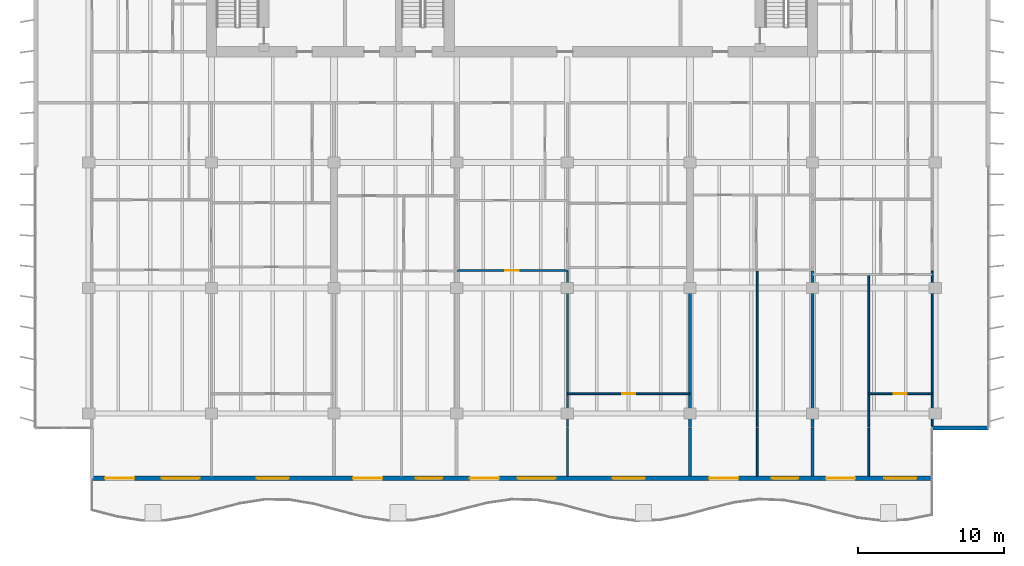
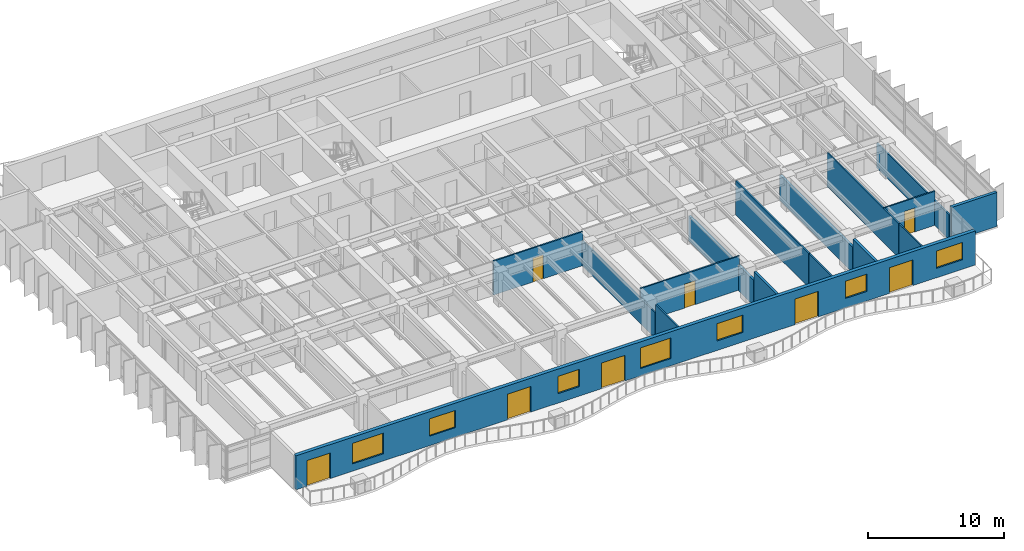
# One storey, part 10 of 19: 16 walls, 8 doors, 7 windows, 15 openings.
"""IFC4 building model written with IfcOpenShell, lengths in metres."""

from ifc_helpers import new_model, si_unit, direction, frame, frame_2d, origin, place, context, subcontext, project, spatial, rectangle, extrude, material, layer, layer_set, type_object, element, fill, save


model = new_model("IFC4")

# Units and contexts
model_context = context("Model", 3, precision=1e-05, world=origin(), true_north=direction((0.0, 1.0)))
body_context = subcontext(model_context, "Body", "Model", "MODEL_VIEW")
ifc_project = project(units=[si_unit("LENGTHUNIT", "METRE"), si_unit("AREAUNIT", "SQUARE_METRE"), si_unit("VOLUMEUNIT", "CUBIC_METRE"), si_unit("PLANEANGLEUNIT", "RADIAN"), si_unit("MASSUNIT", "GRAM", prefix="KILO")], contexts=[model_context])

# Site, building, storey
site_placement = place(None, origin())
site = spatial("IfcSite", under=ifc_project, at=site_placement, CompositionType="ELEMENT")
building_placement = place(site_placement, origin())
building = spatial("IfcBuilding", under=site, at=building_placement, Name="Caelmar Bay Residences", CompositionType="ELEMENT")
storey_placement = place(building_placement, frame((0.0, 0.0, 191.699951171875)))
storey = spatial("IfcBuildingStorey", under=building, at=storey_placement, Name="L53", CompositionType="ELEMENT", Elevation=191.699951171875)

# Wall
ifc_material_1 = material(Name="Precast concrete f'c 40 MPa (6,000 psi)", Category="concrete")
ifc_layer_1 = layer(ifc_material_1, 0.25)
ifc_layer_set_1 = layer_set([ifc_layer_1], Name="Precast concrete f'c 40 MPa (6,000 psi)")
wall_type_1 = type_object("IfcWallType", Name="W-EXT-250", PredefinedType="ELEMENTEDWALL", material=ifc_layer_set_1)
wall_1_placement = place(storey_placement, frame((67.699951171875, 11.199951171875, 0.0), z_axis=(0.0, 0.0, 1.0), x_axis=(1.0, 0.0, 0.0)))
element("IfcWall", 1, at=wall_1_placement, inside=storey, type_object=wall_type_1, Name="L53 SE Notch Return Wall", PredefinedType="ELEMENTEDWALL", context=body_context, shape_type="SweptSolid", body=[
    extrude(rectangle(XDim=3.85009765625, YDim=0.25, at=frame_2d((1.925048828125, 0.0))), origin(), (0.0, 0.0, 1.0), 3.050048828125),
])

# Wall, openings, doors, windows
ifc_layer_2 = layer(ifc_material_1, 0.300048828125)
ifc_layer_set_2 = layer_set([ifc_layer_2], Name="Precast concrete f'c 40 MPa (6,000 psi)")
wall_type_2 = type_object("IfcWallType", Name="W-EXT-300", PredefinedType="STANDARD", material=ifc_layer_set_2)
wall_2_placement = place(storey_placement, frame((67.699951171875, 7.75, 0.0), z_axis=(0.0, 0.0, 1.0), x_axis=(-1.0, 0.0, 0.0)))
wall_2 = element("IfcWall", 2, at=wall_2_placement, inside=storey, type_object=wall_type_2, Name="L53 South Bayfront Exterior Wall", PredefinedType="STANDARD", context=body_context, shape_type="SweptSolid", body=[
    extrude(rectangle(XDim=57.599853515625, YDim=0.300048828125, at=frame_2d((28.7998046875, 0.0))), origin(), (0.0, 0.0, 1.0), 3.050048828125),
])
opening_1_placement = place(wall_2_placement, frame((54.68994140625, 0.0, 0.0)))
opening_1 = element("IfcOpeningElement", 3, at=opening_1_placement, cuts=wall_2, Name="Opening L53-BD01", PredefinedType="OPENING", context=body_context, shape_type="SweptSolid", body=[
    extrude(rectangle(XDim=2.0, YDim=2.300048828125, at=frame_2d((1.0, 1.14990234375))), frame((0.0, 0.159912109375, 0.0), z_axis=(0.0, -1.0, 0.0), x_axis=(1.0, 0.0, 0.0)), (0.0, 0.0, 1.0), 0.320068359375),
])
opening_2_placement = place(wall_2_placement, frame((50.2099609375, 0.0, 0.64990234375)))
opening_2 = element("IfcOpeningElement", 4, at=opening_2_placement, cuts=wall_2, Name="Opening WN3", PredefinedType="OPENING", context=body_context, shape_type="SweptSolid", body=[
    extrude(rectangle(XDim=2.60009765625, YDim=1.85009765625, at=frame_2d((1.300048828125, 0.925048828125))), frame((0.0, 0.159912109375, 0.0), z_axis=(0.0, -1.0, 0.0), x_axis=(1.0, 0.0, 0.0)), (0.0, 0.0, 1.0), 0.320068359375),
])
opening_3_placement = place(wall_2_placement, frame((44.10009765625, 0.0, 0.85009765625)))
opening_3 = element("IfcOpeningElement", 5, at=opening_3_placement, cuts=wall_2, Name="Opening WN2", PredefinedType="OPENING", context=body_context, shape_type="SweptSolid", body=[
    extrude(rectangle(XDim=2.199951171875, YDim=1.550048828125, at=frame_2d((1.10009765625, 0.77490234375))), frame((0.0, 0.159912109375, 0.0), z_axis=(0.0, -1.0, 0.0), x_axis=(1.0, 0.0, 0.0)), (0.0, 0.0, 1.0), 0.320068359375),
])
opening_4_placement = place(wall_2_placement, frame((37.68994140625, 0.0, 0.0)))
opening_4 = element("IfcOpeningElement", 6, at=opening_4_placement, cuts=wall_2, Name="Opening L53-BD02", PredefinedType="OPENING", context=body_context, shape_type="SweptSolid", body=[
    extrude(rectangle(XDim=2.0, YDim=2.300048828125, at=frame_2d((1.0, 1.14990234375))), frame((0.0, 0.159912109375, 0.0), z_axis=(0.0, -1.0, 0.0), x_axis=(1.0, 0.0, 0.0)), (0.0, 0.0, 1.0), 0.320068359375),
])
opening_5_placement = place(wall_2_placement, frame((33.590087890625, 0.0, 0.85009765625)))
opening_5 = element("IfcOpeningElement", 7, at=opening_5_placement, cuts=wall_2, Name="Opening WN1", PredefinedType="OPENING", context=body_context, shape_type="SweptSolid", body=[
    extrude(rectangle(XDim=1.800048828125, YDim=1.550048828125, at=frame_2d((0.89990234375, 0.77490234375))), frame((0.0, 0.159912109375, 0.0), z_axis=(0.0, -1.0, 0.0), x_axis=(1.0, 0.0, 0.0)), (0.0, 0.0, 1.0), 0.320068359375),
])
opening_6_placement = place(wall_2_placement, frame((29.68994140625, 0.0, 0.0)))
opening_6 = element("IfcOpeningElement", 8, at=opening_6_placement, cuts=wall_2, Name="Opening L53-BD03", PredefinedType="OPENING", context=body_context, shape_type="SweptSolid", body=[
    extrude(rectangle(XDim=2.0, YDim=2.300048828125, at=frame_2d((1.0, 1.14990234375))), frame((0.0, 0.159912109375, 0.0), z_axis=(0.0, -1.0, 0.0), x_axis=(1.0, 0.0, 0.0)), (0.0, 0.0, 1.0), 0.320068359375),
])
opening_7_placement = place(wall_2_placement, frame((25.81005859375, 0.0, 0.64990234375)))
opening_7 = element("IfcOpeningElement", 9, at=opening_7_placement, cuts=wall_2, Name="Opening WN3", PredefinedType="OPENING", context=body_context, shape_type="SweptSolid", body=[
    extrude(rectangle(XDim=2.60009765625, YDim=1.85009765625, at=frame_2d((1.300048828125, 0.925048828125))), frame((0.0, 0.159912109375, 0.0), z_axis=(0.0, -1.0, 0.0), x_axis=(1.0, 0.0, 0.0)), (0.0, 0.0, 1.0), 0.320068359375),
])
opening_8_placement = place(wall_2_placement, frame((19.699951171875, 0.0, 0.85009765625)))
opening_8 = element("IfcOpeningElement", 10, at=opening_8_placement, cuts=wall_2, Name="Opening WN2", PredefinedType="OPENING", context=body_context, shape_type="SweptSolid", body=[
    extrude(rectangle(XDim=2.199951171875, YDim=1.550048828125, at=frame_2d((1.10009765625, 0.77490234375))), frame((0.0, 0.159912109375, 0.0), z_axis=(0.0, -1.0, 0.0), x_axis=(1.0, 0.0, 0.0)), (0.0, 0.0, 1.0), 0.320068359375),
])
opening_9_placement = place(wall_2_placement, frame((13.2900390625, 0.0, 0.0)))
opening_9 = element("IfcOpeningElement", 11, at=opening_9_placement, cuts=wall_2, Name="Opening L53-BD04", PredefinedType="OPENING", context=body_context, shape_type="SweptSolid", body=[
    extrude(rectangle(XDim=2.0, YDim=2.300048828125, at=frame_2d((1.0, 1.14990234375))), frame((0.0, 0.159912109375, 0.0), z_axis=(0.0, -1.0, 0.0), x_axis=(1.0, 0.0, 0.0)), (0.0, 0.0, 1.0), 0.320068359375),
])
opening_10_placement = place(wall_2_placement, frame((9.18994140625, 0.0, 0.85009765625)))
opening_10 = element("IfcOpeningElement", 12, at=opening_10_placement, cuts=wall_2, Name="Opening WN1", PredefinedType="OPENING", context=body_context, shape_type="SweptSolid", body=[
    extrude(rectangle(XDim=1.800048828125, YDim=1.550048828125, at=frame_2d((0.89990234375, 0.77490234375))), frame((0.0, 0.159912109375, 0.0), z_axis=(0.0, -1.0, 0.0), x_axis=(1.0, 0.0, 0.0)), (0.0, 0.0, 1.0), 0.320068359375),
])
opening_11_placement = place(wall_2_placement, frame((5.27294921875, 0.0, 0.0)))
opening_11 = element("IfcOpeningElement", 13, at=opening_11_placement, cuts=wall_2, Name="Opening L53-BD05", PredefinedType="OPENING", context=body_context, shape_type="SweptSolid", body=[
    extrude(rectangle(XDim=2.0, YDim=2.300048828125, at=frame_2d((1.0, 1.14990234375))), frame((0.0, 0.159912109375, 0.0), z_axis=(0.0, -1.0, 0.0), x_axis=(1.0, 0.0, 0.0)), (0.0, 0.0, 1.0), 0.320068359375),
])
opening_12_placement = place(wall_2_placement, frame((1.072998046875, 0.0, 0.85009765625)))
opening_12 = element("IfcOpeningElement", 14, at=opening_12_placement, cuts=wall_2, Name="Opening WN2", PredefinedType="OPENING", context=body_context, shape_type="SweptSolid", body=[
    extrude(rectangle(XDim=2.199951171875, YDim=1.550048828125, at=frame_2d((1.10009765625, 0.77490234375))), frame((0.0, 0.159912109375, 0.0), z_axis=(0.0, -1.0, 0.0), x_axis=(1.0, 0.0, 0.0)), (0.0, 0.0, 1.0), 0.320068359375),
])
ifc_material_2 = material(Name="Anodised bronze thermally broken sliding glass door", Category="glass")
ifc_layer_3 = layer(ifc_material_2, 0.050048828125)
ifc_layer_set_3 = layer_set([ifc_layer_3], Name="Anodised bronze thermally broken sliding glass door")
door_type_1 = type_object("IfcDoorType", Name="D-BAL-2000", OperationType="DOUBLE_DOOR_SLIDING", PredefinedType="DOOR", material=ifc_layer_set_3)
door_1_placement = place(opening_1_placement, origin())
door_1 = element("IfcDoor", 15, at=door_1_placement, inside=storey, type_object=door_type_1, Name="L53 Residence 01 Penthouse Living Salon Balcony Door", OperationType="DOUBLE_DOOR_SLIDING", OverallHeight=2.300048828125, OverallWidth=2.0, PredefinedType="DOOR", context=body_context, shape_type="SweptSolid", body=[
    extrude(rectangle(XDim=2.0, YDim=2.300048828125, at=frame_2d((1.0, 1.14990234375))), frame((0.0, 0.02490234375, 0.0), z_axis=(0.0, -1.0, 0.0), x_axis=(1.0, 0.0, 0.0)), (0.0, 0.0, 1.0), 0.050048828125),
])
fill(opening_1, door_1)
door_2_placement = place(opening_4_placement, origin())
door_2 = element("IfcDoor", 16, at=door_2_placement, inside=storey, type_object=door_type_1, Name="L53 Residence 02 Living Room Balcony Door", OperationType="DOUBLE_DOOR_SLIDING", OverallHeight=2.300048828125, OverallWidth=2.0, PredefinedType="DOOR", context=body_context, shape_type="SweptSolid", body=[
    extrude(rectangle(XDim=2.0, YDim=2.300048828125, at=frame_2d((1.0, 1.14990234375))), frame((0.0, 0.02490234375, 0.0), z_axis=(0.0, -1.0, 0.0), x_axis=(1.0, 0.0, 0.0)), (0.0, 0.0, 1.0), 0.050048828125),
])
fill(opening_4, door_2)
door_3_placement = place(opening_6_placement, origin())
door_3 = element("IfcDoor", 17, at=door_3_placement, inside=storey, type_object=door_type_1, Name="L53 Residence 03 Penthouse Living Salon Balcony Door", OperationType="DOUBLE_DOOR_SLIDING", OverallHeight=2.300048828125, OverallWidth=2.0, PredefinedType="DOOR", context=body_context, shape_type="SweptSolid", body=[
    extrude(rectangle(XDim=2.0, YDim=2.300048828125, at=frame_2d((1.0, 1.14990234375))), frame((0.0, 0.02490234375, 0.0), z_axis=(0.0, -1.0, 0.0), x_axis=(1.0, 0.0, 0.0)), (0.0, 0.0, 1.0), 0.050048828125),
])
fill(opening_6, door_3)
door_4_placement = place(opening_9_placement, origin())
door_4 = element("IfcDoor", 18, at=door_4_placement, inside=storey, type_object=door_type_1, Name="L53 Residence 04 Living Room Balcony Door", OperationType="DOUBLE_DOOR_SLIDING", OverallHeight=2.300048828125, OverallWidth=2.0, PredefinedType="DOOR", context=body_context, shape_type="SweptSolid", body=[
    extrude(rectangle(XDim=2.0, YDim=2.300048828125, at=frame_2d((1.0, 1.14990234375))), frame((0.0, 0.02490234375, 0.0), z_axis=(0.0, -1.0, 0.0), x_axis=(1.0, 0.0, 0.0)), (0.0, 0.0, 1.0), 0.050048828125),
])
fill(opening_9, door_4)
door_5_placement = place(opening_11_placement, origin())
door_5 = element("IfcDoor", 19, at=door_5_placement, inside=storey, type_object=door_type_1, Name="L53 Residence 05 Living Room Balcony Door", OperationType="DOUBLE_DOOR_SLIDING", OverallHeight=2.300048828125, OverallWidth=2.0, PredefinedType="DOOR", context=body_context, shape_type="SweptSolid", body=[
    extrude(rectangle(XDim=2.0, YDim=2.300048828125, at=frame_2d((1.0, 1.14990234375))), frame((0.0, 0.02490234375, 0.0), z_axis=(0.0, -1.0, 0.0), x_axis=(1.0, 0.0, 0.0)), (0.0, 0.0, 1.0), 0.050048828125),
])
fill(opening_11, door_5)
ifc_material_3 = material(Name="Bronze aluminium frame with laminated low-E glass", Category="aluminium")
ifc_layer_4 = layer(ifc_material_3, 0.06005859375)
ifc_layer_set_4 = layer_set([ifc_layer_4], Name="Bronze aluminium frame with laminated low-E glass")
window_type_1 = type_object("IfcWindowType", Name="WIN-BR-1800", PartitioningType="SINGLE_PANEL", PredefinedType="WINDOW", material=ifc_layer_set_4)
window_1_placement = place(opening_5_placement, origin())
window_1 = element("IfcWindow", 20, at=window_1_placement, inside=storey, type_object=window_type_1, Name="L53 Residence 02 Primary Bedroom Window", OverallHeight=1.550048828125, OverallWidth=1.800048828125, PartitioningType="SINGLE_PANEL", PredefinedType="WINDOW", context=body_context, shape_type="SweptSolid", body=[
    extrude(rectangle(XDim=1.800048828125, YDim=1.550048828125, at=frame_2d((0.89990234375, 0.77490234375))), frame((0.0, 0.030029296875, 0.0), z_axis=(0.0, -1.0, 0.0), x_axis=(1.0, 0.0, 0.0)), (0.0, 0.0, 1.0), 0.06005859375),
])
fill(opening_5, window_1)
window_2_placement = place(opening_10_placement, origin())
window_2 = element("IfcWindow", 21, at=window_2_placement, inside=storey, type_object=window_type_1, Name="L53 Residence 04 Primary Bedroom Window", OverallHeight=1.550048828125, OverallWidth=1.800048828125, PartitioningType="SINGLE_PANEL", PredefinedType="WINDOW", context=body_context, shape_type="SweptSolid", body=[
    extrude(rectangle(XDim=1.800048828125, YDim=1.550048828125, at=frame_2d((0.89990234375, 0.77490234375))), frame((0.0, 0.030029296875, 0.0), z_axis=(0.0, -1.0, 0.0), x_axis=(1.0, 0.0, 0.0)), (0.0, 0.0, 1.0), 0.06005859375),
])
fill(opening_10, window_2)
ifc_layer_5 = layer(ifc_material_3, 0.06005859375)
ifc_layer_set_5 = layer_set([ifc_layer_5], Name="Bronze aluminium frame with laminated low-E glass")
window_type_2 = type_object("IfcWindowType", Name="WIN-BR-2200", PartitioningType="SINGLE_PANEL", PredefinedType="WINDOW", material=ifc_layer_set_5)
window_3_placement = place(opening_3_placement, origin())
window_3 = element("IfcWindow", 22, at=window_3_placement, inside=storey, type_object=window_type_2, Name="L53 Residence 01 Primary Bedroom 1 Window", OverallHeight=1.550048828125, OverallWidth=2.199951171875, PartitioningType="SINGLE_PANEL", PredefinedType="WINDOW", context=body_context, shape_type="SweptSolid", body=[
    extrude(rectangle(XDim=2.199951171875, YDim=1.550048828125, at=frame_2d((1.10009765625, 0.77490234375))), frame((0.0, 0.030029296875, 0.0), z_axis=(0.0, -1.0, 0.0), x_axis=(1.0, 0.0, 0.0)), (0.0, 0.0, 1.0), 0.06005859375),
])
fill(opening_3, window_3)
window_4_placement = place(opening_8_placement, origin())
window_4 = element("IfcWindow", 23, at=window_4_placement, inside=storey, type_object=window_type_2, Name="L53 Residence 03 Primary Bedroom 1 Window", OverallHeight=1.550048828125, OverallWidth=2.199951171875, PartitioningType="SINGLE_PANEL", PredefinedType="WINDOW", context=body_context, shape_type="SweptSolid", body=[
    extrude(rectangle(XDim=2.199951171875, YDim=1.550048828125, at=frame_2d((1.10009765625, 0.77490234375))), frame((0.0, 0.030029296875, 0.0), z_axis=(0.0, -1.0, 0.0), x_axis=(1.0, 0.0, 0.0)), (0.0, 0.0, 1.0), 0.06005859375),
])
fill(opening_8, window_4)
window_5_placement = place(opening_12_placement, origin())
window_5 = element("IfcWindow", 24, at=window_5_placement, inside=storey, type_object=window_type_2, Name="L53 Residence 05 Primary Bedroom Window", OverallHeight=1.550048828125, OverallWidth=2.199951171875, PartitioningType="SINGLE_PANEL", PredefinedType="WINDOW", context=body_context, shape_type="SweptSolid", body=[
    extrude(rectangle(XDim=2.199951171875, YDim=1.550048828125, at=frame_2d((1.10009765625, 0.77490234375))), frame((0.0, 0.030029296875, 0.0), z_axis=(0.0, -1.0, 0.0), x_axis=(1.0, 0.0, 0.0)), (0.0, 0.0, 1.0), 0.06005859375),
])
fill(opening_12, window_5)
ifc_layer_6 = layer(ifc_material_3, 0.06005859375)
ifc_layer_set_6 = layer_set([ifc_layer_6], Name="Bronze aluminium frame with laminated low-E glass")
window_type_3 = type_object("IfcWindowType", Name="WIN-LIV-2600", PartitioningType="SINGLE_PANEL", PredefinedType="WINDOW", material=ifc_layer_set_6)
window_6_placement = place(opening_2_placement, origin())
window_6 = element("IfcWindow", 25, at=window_6_placement, inside=storey, type_object=window_type_3, Name="L53 Residence 01 Penthouse Living Salon Panoramic Window", OverallHeight=1.85009765625, OverallWidth=2.60009765625, PartitioningType="SINGLE_PANEL", PredefinedType="WINDOW", context=body_context, shape_type="SweptSolid", body=[
    extrude(rectangle(XDim=2.60009765625, YDim=1.85009765625, at=frame_2d((1.300048828125, 0.925048828125))), frame((0.0, 0.030029296875, 0.0), z_axis=(0.0, -1.0, 0.0), x_axis=(1.0, 0.0, 0.0)), (0.0, 0.0, 1.0), 0.06005859375),
])
fill(opening_2, window_6)
window_7_placement = place(opening_7_placement, origin())
window_7 = element("IfcWindow", 26, at=window_7_placement, inside=storey, type_object=window_type_3, Name="L53 Residence 03 Penthouse Living Salon Panoramic Window", OverallHeight=1.85009765625, OverallWidth=2.60009765625, PartitioningType="SINGLE_PANEL", PredefinedType="WINDOW", context=body_context, shape_type="SweptSolid", body=[
    extrude(rectangle(XDim=2.60009765625, YDim=1.85009765625, at=frame_2d((1.300048828125, 0.925048828125))), frame((0.0, 0.030029296875, 0.0), z_axis=(0.0, -1.0, 0.0), x_axis=(1.0, 0.0, 0.0)), (0.0, 0.0, 1.0), 0.06005859375),
])
fill(opening_7, window_7)

# Walls
ifc_material_4 = material(Name="Acoustic metal-stud gypsum partition 120 mm")
ifc_layer_7 = layer(ifc_material_4, 0.1201171875)
ifc_layer_set_7 = layer_set([ifc_layer_7], Name="Acoustic metal-stud gypsum partition 120 mm")
wall_type_3 = type_object("IfcWallType", Name="W-PRT-120", PredefinedType="PARTITIONING", material=ifc_layer_set_7)
wall_3_placement = place(storey_placement, frame((42.699951171875, 7.89501953125, 0.0), z_axis=(0.0, 0.0, 1.0), x_axis=(0.0, 1.0, 0.0)))
element("IfcWall", 27, at=wall_3_placement, inside=storey, type_object=wall_type_3, Name="L53 Partition Wall V051", PredefinedType="PARTITIONING", context=body_context, shape_type="SweptSolid", body=[
    extrude(rectangle(XDim=3.304931640625, YDim=0.1201171875, at=frame_2d((1.65234375, 0.0))), origin(), (0.0, 0.0, 1.0), 3.050048828125),
])
wall_4_placement = place(storey_placement, frame((42.699951171875, 11.239990234375, 0.0), z_axis=(0.0, 0.0, 1.0), x_axis=(0.0, 1.0, 0.0)))
element("IfcWall", 28, at=wall_4_placement, inside=storey, type_object=wall_type_3, Name="L53 Partition Wall V052", PredefinedType="PARTITIONING", context=body_context, shape_type="SweptSolid", body=[
    extrude(rectangle(XDim=10.72998046875, YDim=0.1201171875, at=frame_2d((5.364990234375, 0.0))), origin(), (0.0, 0.0, 1.0), 2.262939453125),
])
wall_5_placement = place(storey_placement, frame((55.719970703125, 7.89501953125, 0.0), z_axis=(0.0, 0.0, 1.0), x_axis=(0.0, 1.0, 0.0)))
element("IfcWall", 29, at=wall_5_placement, inside=storey, type_object=wall_type_3, Name="L53 Partition Wall V074", PredefinedType="PARTITIONING", context=body_context, shape_type="SweptSolid", body=[
    extrude(rectangle(XDim=3.304931640625, YDim=0.1201171875, at=frame_2d((1.65234375, 0.0))), origin(), (0.0, 0.0, 1.0), 3.050048828125),
])
wall_6_placement = place(storey_placement, frame((55.719970703125, 11.239990234375, 0.0), z_axis=(0.0, 0.0, 1.0), x_axis=(0.0, 1.0, 0.0)))
element("IfcWall", 30, at=wall_6_placement, inside=storey, type_object=wall_type_3, Name="L53 Partition Wall V075", PredefinedType="PARTITIONING", context=body_context, shape_type="SweptSolid", body=[
    extrude(rectangle(XDim=10.72998046875, YDim=0.1201171875, at=frame_2d((5.364990234375, 0.0))), origin(), (0.0, 0.0, 1.0), 3.050048828125),
])
wall_7_placement = place(storey_placement, frame((63.35400390625, 7.89501953125, 0.0), z_axis=(0.0, 0.0, 1.0), x_axis=(0.0, 1.0, 0.0)))
element("IfcWall", 31, at=wall_7_placement, inside=storey, type_object=wall_type_3, Name="L53 Partition Wall V086", PredefinedType="PARTITIONING", context=body_context, shape_type="SweptSolid", body=[
    extrude(rectangle(XDim=3.304931640625, YDim=0.1201171875, at=frame_2d((1.65234375, 0.0))), origin(), (0.0, 0.0, 1.0), 3.050048828125),
])
wall_8_placement = place(storey_placement, frame((63.35400390625, 11.239990234375, 0.0), z_axis=(0.0, 0.0, 1.0), x_axis=(0.0, 1.0, 0.0)))
element("IfcWall", 32, at=wall_8_placement, inside=storey, type_object=wall_type_3, Name="L53 Partition Wall V087", PredefinedType="PARTITIONING", context=body_context, shape_type="SweptSolid", body=[
    extrude(rectangle(XDim=10.489990234375, YDim=0.1201171875, at=frame_2d((5.2451171875, 0.0))), origin(), (0.0, 0.0, 1.0), 3.050048828125),
])
wall_9_placement = place(storey_placement, frame((67.699951171875, 11.320068359375, 0.0), z_axis=(0.0, 0.0, 1.0), x_axis=(0.0, 1.0, 0.0)))
element("IfcWall", 33, at=wall_9_placement, inside=storey, type_object=wall_type_3, Name="L53 Partition Wall V095", PredefinedType="PARTITIONING", context=body_context, shape_type="SweptSolid", body=[
    extrude(rectangle(XDim=10.64990234375, YDim=0.1201171875, at=frame_2d((5.324951171875, 0.0))), origin(), (0.0, 0.0, 1.0), 2.262939453125),
])

# Wall, opening, door
wall_10_placement = place(storey_placement, frame((42.699951171875, 13.550048828125, 0.0), z_axis=(0.0, 0.0, 1.0), x_axis=(1.0, 0.0, 0.0)))
wall_10 = element("IfcWall", 34, at=wall_10_placement, inside=storey, type_object=wall_type_3, Name="L53 Partition Wall H105", PredefinedType="PARTITIONING", context=body_context, shape_type="SweptSolid", body=[
    extrude(rectangle(XDim=8.400146484375, YDim=0.1201171875, at=frame_2d((4.2001953125, 0.0))), origin(), (0.0, 0.0, 1.0), 3.050048828125),
])
opening_13_placement = place(wall_10_placement, frame((3.75, 0.0, 0.0)))
opening_13 = element("IfcOpeningElement", 35, at=opening_13_placement, cuts=wall_10, Name="Opening D-L53-147", PredefinedType="OPENING", context=body_context, shape_type="SweptSolid", body=[
    extrude(rectangle(XDim=0.89990234375, YDim=2.14990234375, at=frame_2d((0.449951171875, 1.074951171875))), frame((0.0, 0.070068359375, 0.0), z_axis=(0.0, -1.0, 0.0), x_axis=(1.0, 0.0, 0.0)), (0.0, 0.0, 1.0), 0.14013671875),
])
ifc_material_5 = material(Name="Solid walnut timber interior door leaf and frame", Category="wood")
ifc_layer_8 = layer(ifc_material_5, 0.050048828125)
ifc_layer_set_8 = layer_set([ifc_layer_8], Name="Solid walnut timber interior door leaf and frame")
door_type_2 = type_object("IfcDoorType", Name="D-ROOM-900", OperationType="NOTDEFINED", PredefinedType="DOOR", material=ifc_layer_set_8)
door_6_placement = place(opening_13_placement, origin())
door_6 = element("IfcDoor", 36, at=door_6_placement, inside=storey, type_object=door_type_2, Name="L53 Residence 03 Primary Bedroom 1 Door", OperationType="SINGLE_SWING_LEFT", OverallHeight=2.14990234375, OverallWidth=0.89990234375, PredefinedType="DOOR", context=body_context, shape_type="SweptSolid", body=[
    extrude(rectangle(XDim=0.89990234375, YDim=2.14990234375, at=frame_2d((0.449951171875, 1.074951171875))), frame((0.0, 0.02490234375, 0.0), z_axis=(0.0, -1.0, 0.0), x_axis=(1.0, 0.0, 0.0)), (0.0, 0.0, 1.0), 0.050048828125),
])
fill(opening_13, door_6)

wall_11_placement = place(storey_placement, frame((63.35400390625, 13.550048828125, 0.0), z_axis=(0.0, 0.0, 1.0), x_axis=(1.0, 0.0, 0.0)))
wall_11 = element("IfcWall", 37, at=wall_11_placement, inside=storey, type_object=wall_type_3, Name="L53 Partition Wall H106", PredefinedType="PARTITIONING", context=body_context, shape_type="SweptSolid", body=[
    extrude(rectangle(XDim=4.345947265625, YDim=0.1201171875, at=frame_2d((2.1728515625, 0.0))), origin(), (0.0, 0.0, 1.0), 3.050048828125),
])
opening_14_placement = place(wall_11_placement, frame((1.722900390625, 0.0, 0.0)))
opening_14 = element("IfcOpeningElement", 38, at=opening_14_placement, cuts=wall_11, Name="Opening D-L53-160", PredefinedType="OPENING", context=body_context, shape_type="SweptSolid", body=[
    extrude(rectangle(XDim=0.89990234375, YDim=2.14990234375, at=frame_2d((0.449951171875, 1.074951171875))), frame((0.0, 0.070068359375, 0.0), z_axis=(0.0, -1.0, 0.0), x_axis=(1.0, 0.0, 0.0)), (0.0, 0.0, 1.0), 0.14013671875),
])
door_7_placement = place(opening_14_placement, origin())
door_7 = element("IfcDoor", 39, at=door_7_placement, inside=storey, type_object=door_type_2, Name="L53 Residence 05 Primary Bedroom Door", OperationType="SINGLE_SWING_RIGHT", OverallHeight=2.14990234375, OverallWidth=0.89990234375, PredefinedType="DOOR", context=body_context, shape_type="SweptSolid", body=[
    extrude(rectangle(XDim=0.89990234375, YDim=2.14990234375, at=frame_2d((0.449951171875, 1.074951171875))), frame((0.0, 0.02490234375, 0.0), z_axis=(0.0, -1.0, 0.0), x_axis=(1.0, 0.0, 0.0)), (0.0, 0.0, 1.0), 0.050048828125),
])
fill(opening_14, door_7)

wall_12_placement = place(storey_placement, frame((35.10498046875, 22.0, 0.0), z_axis=(0.0, 0.0, 1.0), x_axis=(1.0, 0.0, 0.0)))
wall_12 = element("IfcWall", 40, at=wall_12_placement, inside=storey, type_object=wall_type_3, Name="L53 Partition Wall H110", PredefinedType="PARTITIONING", context=body_context, shape_type="SweptSolid", body=[
    extrude(rectangle(XDim=7.594970703125, YDim=0.1201171875, at=frame_2d((3.79736328125, 0.0))), origin(), (0.0, 0.0, 1.0), 3.050048828125),
])
opening_15_placement = place(wall_12_placement, frame((3.347412109375, 0.0, 0.0)))
opening_15 = element("IfcOpeningElement", 41, at=opening_15_placement, cuts=wall_12, Name="Opening D-L53-142", PredefinedType="OPENING", context=body_context, shape_type="SweptSolid", body=[
    extrude(rectangle(XDim=0.89990234375, YDim=2.14990234375, at=frame_2d((0.449951171875, 1.074951171875))), frame((0.0, 0.070068359375, 0.0), z_axis=(0.0, -1.0, 0.0), x_axis=(1.0, 0.0, 0.0)), (0.0, 0.0, 1.0), 0.14013671875),
])
door_8_placement = place(opening_15_placement, origin())
door_8 = element("IfcDoor", 42, at=door_8_placement, inside=storey, type_object=door_type_2, Name="L53 Residence 03 Penthouse Living Salon Door", OperationType="SINGLE_SWING_RIGHT", OverallHeight=2.14990234375, OverallWidth=0.89990234375, PredefinedType="DOOR", context=body_context, shape_type="SweptSolid", body=[
    extrude(rectangle(XDim=0.89990234375, YDim=2.14990234375, at=frame_2d((0.449951171875, 1.074951171875))), frame((0.0, 0.02490234375, 0.0), z_axis=(0.0, -1.0, 0.0), x_axis=(1.0, 0.0, 0.0)), (0.0, 0.0, 1.0), 0.050048828125),
])
fill(opening_15, door_8)

# Walls
ifc_material_6 = material(Name="Acoustic twin-stud fire-rated inter-tenancy partition 200 mm")
ifc_layer_9 = layer(ifc_material_6, 0.199951171875)
ifc_layer_set_9 = layer_set([ifc_layer_9], Name="Acoustic twin-stud fire-rated inter-tenancy partition 200 mm")
wall_type_4 = type_object("IfcWallType", Name="W-PTY-200", PredefinedType="PARTITIONING", material=ifc_layer_set_9)
wall_13_placement = place(storey_placement, frame((51.10009765625, 7.89501953125, 0.0), z_axis=(0.0, 0.0, 1.0), x_axis=(0.0, 1.0, 0.0)))
element("IfcWall", 43, at=wall_13_placement, inside=storey, type_object=wall_type_4, Name="L53 Partition Wall V065", PredefinedType="PARTITIONING", context=body_context, shape_type="SweptSolid", body=[
    extrude(rectangle(XDim=3.304931640625, YDim=0.199951171875, at=frame_2d((1.65234375, 0.0))), origin(), (0.0, 0.0, 1.0), 3.050048828125),
])
wall_14_placement = place(storey_placement, frame((51.10009765625, 11.239990234375, 0.0), z_axis=(0.0, 0.0, 1.0), x_axis=(0.0, 1.0, 0.0)))
element("IfcWall", 44, at=wall_14_placement, inside=storey, type_object=wall_type_4, Name="L53 Partition Wall V066", PredefinedType="PARTITIONING", context=body_context, shape_type="SweptSolid", body=[
    extrude(rectangle(XDim=9.554931640625, YDim=0.199951171875, at=frame_2d((4.77734375, 0.0))), origin(), (0.0, 0.0, 1.0), 2.262939453125),
])
wall_15_placement = place(storey_placement, frame((59.5, 7.89501953125, 0.0), z_axis=(0.0, 0.0, 1.0), x_axis=(0.0, 1.0, 0.0)))
element("IfcWall", 45, at=wall_15_placement, inside=storey, type_object=wall_type_4, Name="L53 Partition Wall V078", PredefinedType="PARTITIONING", context=body_context, shape_type="SweptSolid", body=[
    extrude(rectangle(XDim=3.304931640625, YDim=0.199951171875, at=frame_2d((1.65234375, 0.0))), origin(), (0.0, 0.0, 1.0), 3.050048828125),
])
wall_16_placement = place(storey_placement, frame((59.5, 11.239990234375, 0.0), z_axis=(0.0, 0.0, 1.0), x_axis=(0.0, 1.0, 0.0)))
element("IfcWall", 46, at=wall_16_placement, inside=storey, type_object=wall_type_4, Name="L53 Partition Wall V079", PredefinedType="PARTITIONING", context=body_context, shape_type="SweptSolid", body=[
    extrude(rectangle(XDim=10.72998046875, YDim=0.199951171875, at=frame_2d((5.364990234375, 0.0))), origin(), (0.0, 0.0, 1.0), 2.262939453125),
])

save(model, "model.ifc")
